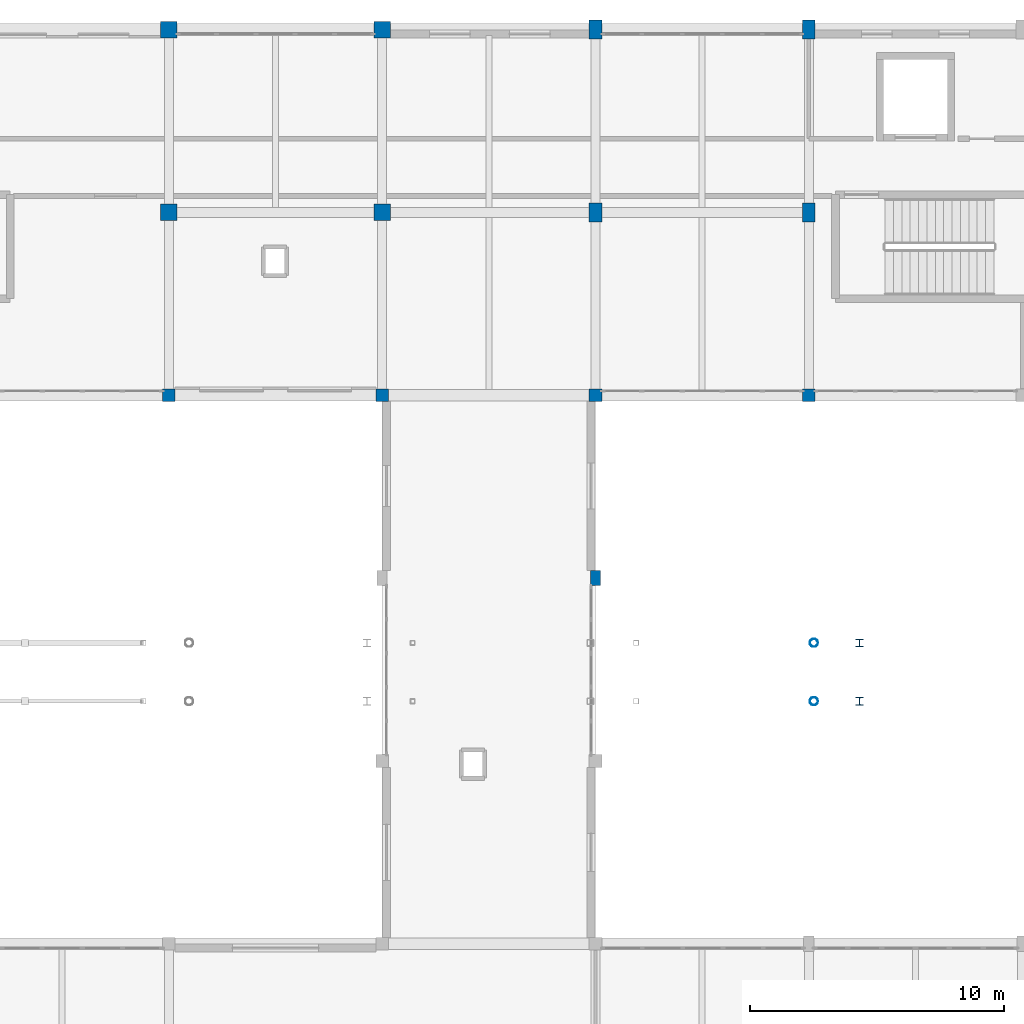
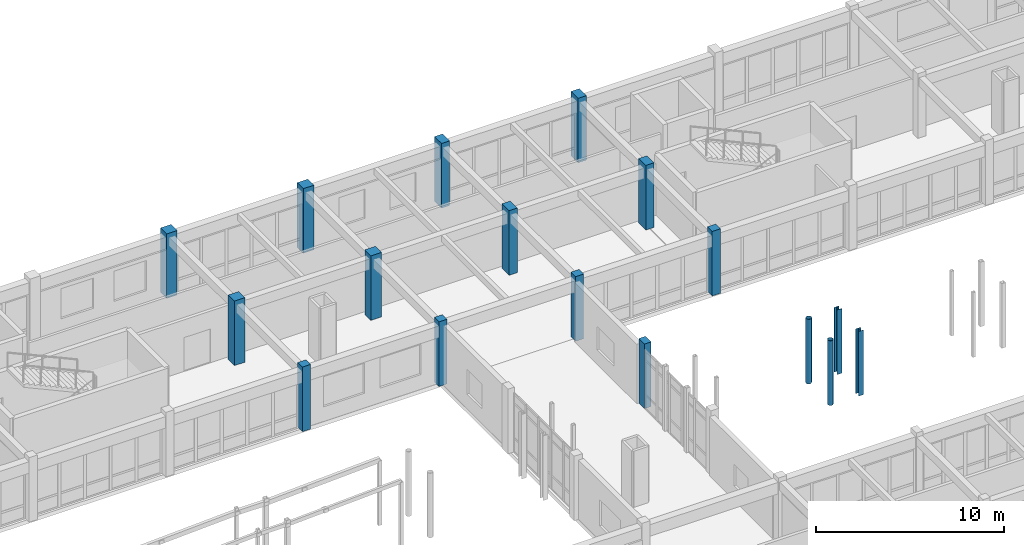
# One storey, part 16 of 89: 17 columns.
"""IFC4 building model written with IfcOpenShell, lengths in metres."""

from ifc_helpers import new_model, si_unit, direction, frame, origin, origin_2d, place, context, subcontext, project, spatial, rectangle, hollow_circle, i_section, extrude, material, material_profile, profile_set, type_object, element, save


model = new_model("IFC4")

# Units and contexts
model_context = context("Model", 3, precision=1e-05, world=origin(), true_north=direction((0.0, 1.0)))
body_context = subcontext(model_context, "Body", "Model", "MODEL_VIEW")
ifc_project = project(units=[si_unit("LENGTHUNIT", "METRE"), si_unit("AREAUNIT", "SQUARE_METRE"), si_unit("VOLUMEUNIT", "CUBIC_METRE"), si_unit("PLANEANGLEUNIT", "RADIAN"), si_unit("MASSUNIT", "GRAM", prefix="KILO")], contexts=[model_context])

# Site, building, storey
site_placement = place(None, origin())
site = spatial("IfcSite", under=ifc_project, at=site_placement, CompositionType="ELEMENT")
building_placement = place(site_placement, origin())
building = spatial("IfcBuilding", under=site, at=building_placement, Name="Malvenik Polytechnic", CompositionType="ELEMENT")
storey_placement = place(building_placement, frame((0.0, 0.0, 13.5)))
storey = spatial("IfcBuildingStorey", under=building, at=storey_placement, Name="L03", CompositionType="ELEMENT", Elevation=13.5)

# Columns
ifc_material_1 = material(Name="Concrete C35/45", Category="concrete")
ifc_material_profile_1 = material_profile(ifc_material_1, rectangle(XDim=0.64990234375, YDim=0.64990234375, at=origin_2d()), Name="RC COL 650x650")
ifc_profile_set_1 = profile_set([ifc_material_profile_1], Name="Concrete C35/45")
column_type_1 = type_object("IfcColumnType", Name="STR-COL-C-05", PredefinedType="COLUMN", material=ifc_profile_set_1)
for number, where, z_axis, x_axis, name in (
    (1, (67.199951171875, 122.39990234375, 0.0), (0.0, 0.0, 1.0), (1.0, 0.0, 0.0), "Column C-05 L03 (67.2,122.4)"),
    (2, (67.199951171875, 129.60009765625, 0.0), (0.0, 0.0, 1.0), (1.0, 0.0, 0.0), "Column C-05 L03 (67.2,129.6)"),
    (3, (75.60009765625, 122.39990234375, 0.0), (0.0, 0.0, 1.0), (1.0, 0.0, 0.0), "Column C-05 L03 (75.6,122.4)"),
    (4, (75.60009765625, 129.60009765625, 0.0), (0.0, 0.0, 1.0), (1.0, 0.0, 0.0), "Column C-05 L03 (75.6,129.6)"),
):
    element("IfcColumn", number, at=place(storey_placement, frame(where, z_axis=z_axis, x_axis=x_axis)), inside=storey, type_object=column_type_1, Name=name, PredefinedType="COLUMN", context=body_context, shape_type="SweptSolid", body=[
        extrude(rectangle(XDim=0.64990234375, YDim=0.64990234375, at=origin_2d()), origin(), (0.0, 0.0, 1.0), 4.199951171875),
    ])
ifc_material_profile_2 = material_profile(ifc_material_1, rectangle(XDim=0.5, YDim=0.5, at=origin_2d()), Name="RC COL 500x500")
ifc_profile_set_2 = profile_set([ifc_material_profile_2], Name="Concrete C35/45")
column_type_2 = type_object("IfcColumnType", Name="STR-COL-C-08", PredefinedType="COLUMN", material=ifc_profile_set_2)
for number, where, z_axis, x_axis, name in (
    (5, (67.199951171875, 115.199951171875, 0.0), (0.0, 0.0, 1.0), (1.0, 0.0, 0.0), "Column C-08 L03 (67.2,115.2)"),
    (6, (75.60009765625, 115.199951171875, 0.0), (0.0, 0.0, 1.0), (1.0, 0.0, 0.0), "Column C-08 L03 (75.6,115.2)"),
    (7, (84.0, 115.199951171875, 0.0), (0.0, 0.0, 1.0), (1.0, 0.0, 0.0), "Column C-08 L03 (84.0,115.2)"),
    (8, (92.39990234375, 115.199951171875, 0.0), (0.0, 0.0, 1.0), (1.0, 0.0, 0.0), "Column C-08 L03 (92.4,115.2)"),
):
    element("IfcColumn", number, at=place(storey_placement, frame(where, z_axis=z_axis, x_axis=x_axis)), inside=storey, type_object=column_type_2, Name=name, PredefinedType="COLUMN", context=body_context, shape_type="SweptSolid", body=[
        extrude(rectangle(XDim=0.5, YDim=0.5, at=origin_2d()), origin(), (0.0, 0.0, 1.0), 4.199951171875),
    ])
ifc_material_profile_3 = material_profile(ifc_material_1, rectangle(XDim=0.5, YDim=0.75, at=origin_2d()), Name="RC COL 750x500")
ifc_profile_set_3 = profile_set([ifc_material_profile_3], Name="Concrete C35/45")
column_type_3 = type_object("IfcColumnType", Name="STR-COL-C-14", PredefinedType="COLUMN", material=ifc_profile_set_3)
for number, where, z_axis, x_axis, name in (
    (9, (84.0, 122.39990234375, 0.0), (0.0, 0.0, 1.0), (1.0, 0.0, 0.0), "Column C-14 L03 (84.0,122.4)"),
    (10, (84.0, 129.60009765625, 0.0), (0.0, 0.0, 1.0), (1.0, 0.0, 0.0), "Column C-14 L03 (84.0,129.6)"),
    (11, (92.39990234375, 122.39990234375, 0.0), (0.0, 0.0, 1.0), (1.0, 0.0, 0.0), "Column C-14 L03 (92.4,122.4)"),
    (12, (92.39990234375, 129.60009765625, 0.0), (0.0, 0.0, 1.0), (1.0, 0.0, 0.0), "Column C-14 L03 (92.4,129.6)"),
):
    element("IfcColumn", number, at=place(storey_placement, frame(where, z_axis=z_axis, x_axis=x_axis)), inside=storey, type_object=column_type_3, Name=name, PredefinedType="COLUMN", context=body_context, shape_type="SweptSolid", body=[
        extrude(rectangle(XDim=0.5, YDim=0.75, at=origin_2d()), origin(), (0.0, 0.0, 1.0), 4.199951171875),
    ])
ifc_material_profile_4 = material_profile(ifc_material_1, rectangle(XDim=0.39990234375, YDim=0.60009765625, at=origin_2d()), Name="RC COL 600x400")
ifc_profile_set_4 = profile_set([ifc_material_profile_4], Name="Concrete C35/45")
column_type_4 = type_object("IfcColumnType", Name="STR-COL-C-15", PredefinedType="COLUMN", material=ifc_profile_set_4)
column_placement = place(storey_placement, frame((84.0, 108.0, 0.0), z_axis=(0.0, 0.0, 1.0), x_axis=(1.0, 0.0, 0.0)))
element("IfcColumn", 13, at=column_placement, inside=storey, type_object=column_type_4, Name="Column C-15 L03 (84.0,108.0)", PredefinedType="COLUMN", context=body_context, shape_type="SweptSolid", body=[
    extrude(rectangle(XDim=0.39990234375, YDim=0.60009765625, at=origin_2d()), origin(), (0.0, 0.0, 1.0), 4.199951171875),
])
ifc_material_2 = material(Name="Steel S355J2H", Category="steel")
ifc_material_profile_5 = material_profile(ifc_material_2, hollow_circle(Radius=0.161865234375, WallThickness=0.012451171875, at=origin_2d()), Name="CHS 323.9x12.5")
ifc_profile_set_5 = profile_set([ifc_material_profile_5], Name="Steel S355J2H")
column_type_5 = type_object("IfcColumnType", Name="STR-SCOL-SC-04", PredefinedType="COLUMN", material=ifc_profile_set_5)
for number, where, z_axis, x_axis, name in (
    (14, (92.60009765625, 103.14990234375, 0.0), (0.0, 0.0, 1.0), (1.0, 0.0, 0.0), "Bridge-Ramp Support Column SC-04 L03"),
    (15, (92.60009765625, 105.449951171875, 0.0), (0.0, 0.0, 1.0), (1.0, 0.0, 0.0), "Bridge-Ramp Support Column SC-04 L03"),
):
    element("IfcColumn", number, at=place(storey_placement, frame(where, z_axis=z_axis, x_axis=x_axis)), inside=storey, type_object=column_type_5, Name=name, PredefinedType="COLUMN", context=body_context, shape_type="SweptSolid", body=[
        extrude(hollow_circle(Radius=0.161865234375, WallThickness=0.012451171875, at=origin_2d()), origin(), (0.0, 0.0, 1.0), 4.199951171875),
    ])
ifc_material_3 = material(Name="Steel S355", Category="steel")
ifc_material_profile_6 = material_profile(ifc_material_3, i_section(OverallWidth=0.300048828125, OverallDepth=0.300048828125, WebThickness=0.010986328125, FlangeThickness=0.01904296875, FilletRadius=0.027099609375, at=origin_2d()), Name="HEB 300")
ifc_profile_set_6 = profile_set([ifc_material_profile_6], Name="Steel S355")
column_type_6 = type_object("IfcColumnType", Name="STR-SCOL-SC-05", PredefinedType="COLUMN", material=ifc_profile_set_6)
for number, where, z_axis, x_axis, name in (
    (16, (94.39990234375, 103.14990234375, 0.0), (0.0, 0.0, 1.0), (1.0, 0.0, 0.0), "Bridge-Ramp Support Column SC-05 L03"),
    (17, (94.39990234375, 105.449951171875, 0.0), (0.0, 0.0, 1.0), (1.0, 0.0, 0.0), "Bridge-Ramp Support Column SC-05 L03"),
):
    element("IfcColumn", number, at=place(storey_placement, frame(where, z_axis=z_axis, x_axis=x_axis)), inside=storey, type_object=column_type_6, Name=name, PredefinedType="COLUMN", context=body_context, shape_type="SweptSolid", body=[
        extrude(i_section(OverallWidth=0.300048828125, OverallDepth=0.300048828125, WebThickness=0.010986328125, FlangeThickness=0.01904296875, FilletRadius=0.027099609375, at=origin_2d()), origin(), (0.0, 0.0, 1.0), 4.199951171875),
    ])

save(model, "model.ifc")
